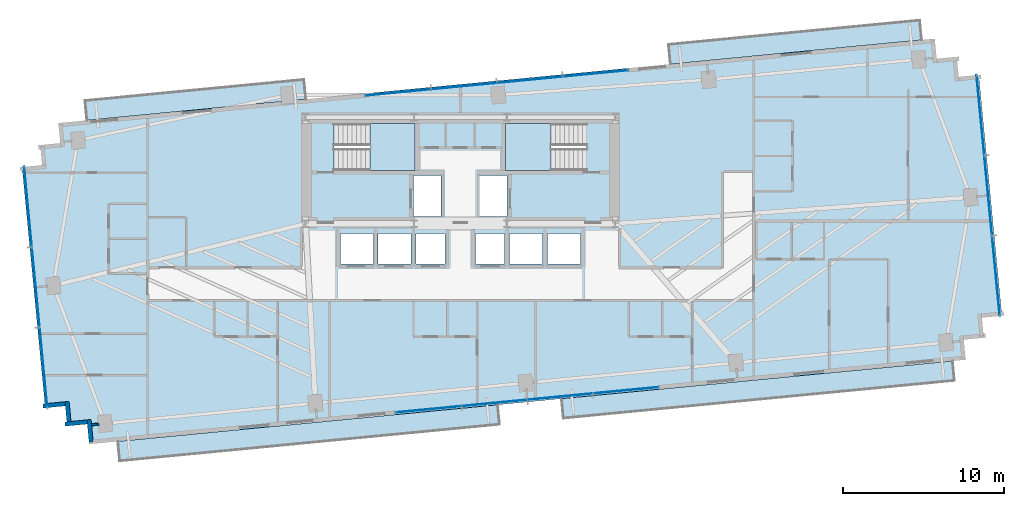
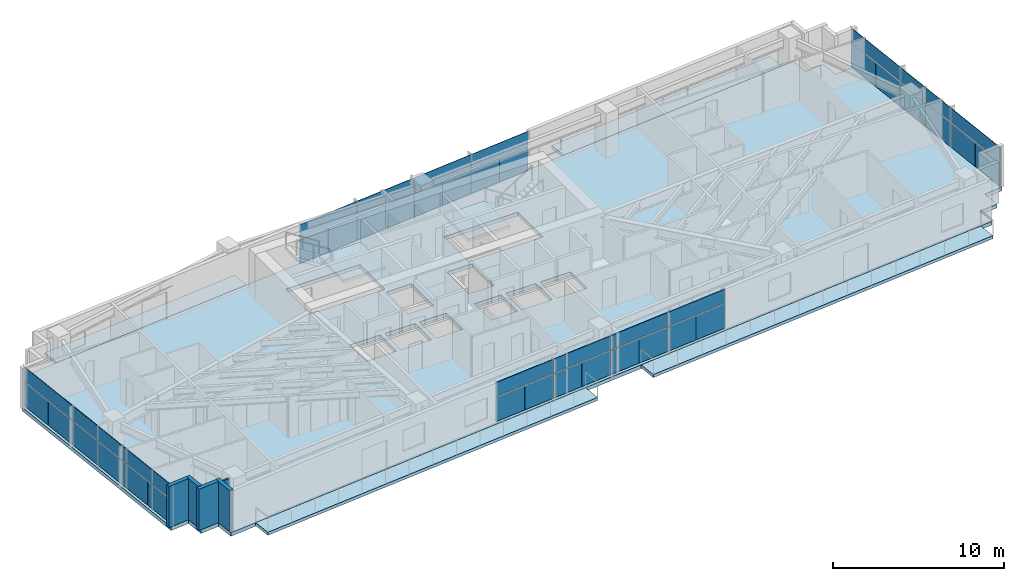
# One storey, part 20 of 27: 42 plates, 7 slabs, 5 walls, 6 elements without a shape of their own.
"""IFC4 building model written with IfcOpenShell, lengths in metres."""

import ifcopenshell
import ifcopenshell.guid

model = None  # the IFC model being written
_history = None  # IfcOwnerHistory: only IFC2X3 demands one
_inside = {}  # id of a spatial element -> (the spatial element, [elements in it])
_under = {}  # id of a project, library or spatial element -> (it, [spatial elements below it])
_declared = {}  # id of a project -> (the project, [libraries it declares])
_typed = {}  # id of a type object -> (the type object, [elements of that type])
_made_of = {}  # id of a material, layer set ... -> (it, [elements and type objects made of it])


def new_model(schema):
    """Start an empty IFC model of exactly this schema.

    Asked for "IFC4X3", IfcOpenShell would pick the latest addendum, in which some entities
    have other attributes; the version numbers below select the first issue.
    IFC2X3 requires an IfcOwnerHistory on every rooted entity: one is made here for all.
    """
    global model, _history
    if schema == "IFC4X3":
        model = ifcopenshell.file(schema_version=(4, 3, 0, 0))
    else:
        model = ifcopenshell.file(schema=schema)
    _inside.clear()
    _under.clear()
    _declared.clear()
    _typed.clear()
    _made_of.clear()
    _history = None
    if model.schema == "IFC2X3":
        org = make("IfcOrganization", Name="unknown")
        user = make(
            "IfcPersonAndOrganization",
            ThePerson=make("IfcPerson", FamilyName="unknown"),
            TheOrganization=org,
        )
        app = make(
            "IfcApplication",
            ApplicationDeveloper=org,
            Version="unknown",
            ApplicationFullName="unknown",
            ApplicationIdentifier="unknown",
        )
        _history = make(
            "IfcOwnerHistory",
            OwningUser=user,
            OwningApplication=app,
            ChangeAction="ADDED",
            CreationDate=0,
        )
    return model


def make(cls, **values):
    """One entity of the class cls with the attributes given. An attribute that is None is left unset."""
    return model.create_entity(
        cls, **{name: value for name, value in values.items() if value is not None}
    )


def rooted(cls, **values):
    """An entity with a GlobalId (a new one), such as an element, a storey or a relation."""
    return make(cls, GlobalId=ifcopenshell.guid.new(), OwnerHistory=_history, **values)


def si_unit(unit_type, name, prefix=None):
    """IfcSIUnit, for example si_unit("LENGTHUNIT", "METRE", prefix="MILLI")."""
    return make("IfcSIUnit", UnitType=unit_type, Prefix=prefix, Name=name)


def assignment(units):
    """IfcUnitAssignment: the units of a project."""
    return None if units is None else make("IfcUnitAssignment", Units=units)


def point(xyz):
    """IfcCartesianPoint."""
    return None if xyz is None else make("IfcCartesianPoint", Coordinates=xyz)


def direction(xyz):
    """IfcDirection."""
    return None if xyz is None else make("IfcDirection", DirectionRatios=xyz)


def frame(location, z_axis=None, x_axis=None):
    """IfcAxis2Placement3D, a coordinate frame: its origin and axes. An axis left out is left unset."""
    return make(
        "IfcAxis2Placement3D",
        Location=point(location),
        Axis=direction(z_axis),
        RefDirection=direction(x_axis),
    )


def frame_2d(location, x_axis=None):
    """IfcAxis2Placement2D, a coordinate frame in the plane: its origin and x axis."""
    return make(
        "IfcAxis2Placement2D", Location=point(location), RefDirection=direction(x_axis)
    )


def origin():
    """The frame at (0, 0, 0) with its axes left unset."""
    return frame((0.0, 0.0, 0.0))


def origin_2d():
    """The frame at (0, 0) in the plane with its x axis left unset."""
    return frame_2d((0.0, 0.0))


def place(relative_to, where):
    """IfcLocalPlacement: puts the frame where relative to a parent placement (None: the world)."""
    return make(
        "IfcLocalPlacement", PlacementRelTo=relative_to, RelativePlacement=where
    )


def context(
    kind, dimensions, precision=None, world=None, true_north=None, identifier=None
):
    """IfcGeometricRepresentationContext, for example the 3D "Model" context."""
    return make(
        "IfcGeometricRepresentationContext",
        ContextIdentifier=identifier,
        ContextType=kind,
        CoordinateSpaceDimension=dimensions,
        Precision=precision,
        WorldCoordinateSystem=world,
        TrueNorth=true_north,
    )


def subcontext(parent, identifier, kind, view, scale=None):
    """IfcGeometricRepresentationSubContext, for example "Body" below "Model"."""
    return make(
        "IfcGeometricRepresentationSubContext",
        ContextIdentifier=identifier,
        ContextType=kind,
        ParentContext=parent,
        TargetScale=scale,
        TargetView=view,
    )


def project(units=None, contexts=None):
    """IfcProject with its units and contexts."""
    return rooted(
        "IfcProject",
        Name="project",
        RepresentationContexts=contexts,
        UnitsInContext=assignment(units),
    )


def spatial(cls, under=None, at=None, **own):
    """A site, building, storey or space (cls), placed at a placement, below another one or the project."""
    s = rooted(cls, ObjectPlacement=at, **own)
    if under is not None:
        _under.setdefault(under.id(), (under, []))[1].append(s)
    return s


def polyline(points):
    """IfcPolyline through the points."""
    return make("IfcPolyline", Points=[point(p) for p in points])


def profile(cls, at=None, kind="AREA", **sizes):
    """A parametric profile (cls). Its sizes go by their IFC names, for example OverallWidth=200.0."""
    return make(cls, ProfileType=kind, Position=at, **sizes)


def rectangle(**sizes):
    """IfcRectangleProfileDef."""
    return profile("IfcRectangleProfileDef", **sizes)


def outline(outer, holes=None, kind="AREA"):
    """IfcArbitraryClosedProfileDef: a profile drawn as a closed curve; with holes, ...WithVoids."""
    if holes is None:
        return make("IfcArbitraryClosedProfileDef", ProfileType=kind, OuterCurve=outer)
    return make(
        "IfcArbitraryProfileDefWithVoids",
        ProfileType=kind,
        OuterCurve=outer,
        InnerCurves=holes,
    )


def extrude(swept, where, along, depth):
    """IfcExtrudedAreaSolid: the profile swept, set in the frame where, extruded along a direction by depth."""
    return make(
        "IfcExtrudedAreaSolid",
        SweptArea=swept,
        Position=where,
        ExtrudedDirection=direction(along),
        Depth=depth,
    )


def shape(context_of_items, identifier, shape_type, items):
    """IfcShapeRepresentation: the items that make up one representation, for example the "Body"."""
    return make(
        "IfcShapeRepresentation",
        ContextOfItems=context_of_items,
        RepresentationIdentifier=identifier,
        RepresentationType=shape_type,
        Items=items,
    )


def source(mapping_origin, context_of_items, identifier, shape_type, items):
    """IfcRepresentationMap: a shape defined once, which mapped items show again and again."""
    return make(
        "IfcRepresentationMap",
        MappingOrigin=mapping_origin,
        MappedRepresentation=shape(context_of_items, identifier, shape_type, items),
    )


def transform(
    local_origin,
    x_axis=None,
    y_axis=None,
    z_axis=None,
    scale=None,
    scale2=None,
    scale3=None,
    uniform=True,
):
    """IfcCartesianTransformationOperator3D, or its non-uniform kind. x_axis, y_axis, z_axis: its Axis1, 2, 3."""
    if uniform:
        return make(
            "IfcCartesianTransformationOperator3D",
            Axis1=direction(x_axis),
            Axis2=direction(y_axis),
            LocalOrigin=point(local_origin),
            Scale=scale,
            Axis3=direction(z_axis),
        )
    return make(
        "IfcCartesianTransformationOperator3DnonUniform",
        Axis1=direction(x_axis),
        Axis2=direction(y_axis),
        LocalOrigin=point(local_origin),
        Scale=scale,
        Axis3=direction(z_axis),
        Scale2=scale2,
        Scale3=scale3,
    )


def mapped(mapping_source, mapping_target):
    """IfcMappedItem: shows the shape of a source again, moved by a transform."""
    return make(
        "IfcMappedItem", MappingSource=mapping_source, MappingTarget=mapping_target
    )


def material(Name=None, Category=None):
    """IfcMaterial."""
    return make("IfcMaterial", Name=Name, Category=Category)


def layer(
    of_material, thickness, ventilated=None, Name=None, Category=None, Priority=None
):
    """IfcMaterialLayer: one layer of a wall or slab, of a material (None: an air gap)."""
    return make(
        "IfcMaterialLayer",
        Material=of_material,
        LayerThickness=thickness,
        IsVentilated=ventilated,
        Name=Name,
        Category=Category,
        Priority=Priority,
    )


def layer_set(layers, Name=None):
    """IfcMaterialLayerSet."""
    return make("IfcMaterialLayerSet", MaterialLayers=layers, LayerSetName=Name)


def made_of(thing, what):
    """Note that an element or type object is made of a material, layer set ...; save() writes the relation."""
    if what is not None:
        _made_of.setdefault(what.id(), (what, []))[1].append(thing)
    return thing


def type_object(cls, material=None, **own):
    """A type object (cls), such as IfcWallType, which elements share."""
    return made_of(rooted(cls, **own), material)


def type_shapes(of_type, sources):
    """Give a type object the sources (RepresentationMaps) that its elements show as mapped items."""
    of_type.RepresentationMaps = sources


def element(
    cls,
    number,
    at=None,
    inside=None,
    cuts=None,
    type_object=None,
    material=None,
    context=None,
    identifier="Body",
    shape_type=None,
    held_by="IfcProductDefinitionShape",
    body=None,
    shapes=None,
    **own,
):
    """One element of the class cls, such as IfcWall. Its Tag is "e" and its number.

    at: its placement. inside: the storey or other place that contains it. cuts: it is an
    opening in that element (IfcRelVoidsElement). A single representation is given by context,
    identifier, shape_type and body (its items); several are given by shapes. held_by: the class
    of the entity that holds the representations. save() writes the other relations.
    """
    e = rooted(cls, Tag="e%d" % number, ObjectPlacement=at, **own)
    if body is not None:
        shapes = [shape(context, identifier, shape_type, body)]
    if shapes is not None:
        e.Representation = make(held_by, Representations=shapes)
    if inside is not None:
        _inside.setdefault(inside.id(), (inside, []))[1].append(e)
    if cuts is not None:
        rooted(
            "IfcRelVoidsElement", RelatingBuildingElement=cuts, RelatedOpeningElement=e
        )
    if type_object is not None:
        _typed.setdefault(type_object.id(), (type_object, []))[1].append(e)
    return made_of(e, material)


def aggregate(whole, parts):
    """IfcRelAggregates: a whole, such as a stair, and the parts it consists of."""
    return rooted("IfcRelAggregates", RelatingObject=whole, RelatedObjects=parts)


def save(model, path):
    """Write the relations noted so far, then the file.

    IfcRelAggregates (storeys below a building ...), IfcRelContainedInSpatialStructure (elements
    in a storey), IfcRelDefinesByType, IfcRelAssociatesMaterial and IfcRelDeclares: one each for
    every whole, place, type object, material and project.
    """
    for whole, parts in _under.values():
        aggregate(whole, parts)
    for where, things in _inside.values():
        rooted(
            "IfcRelContainedInSpatialStructure",
            RelatedElements=things,
            RelatingStructure=where,
        )
    for kind, things in _typed.values():
        rooted("IfcRelDefinesByType", RelatedObjects=things, RelatingType=kind)
    for what, things in _made_of.values():
        rooted("IfcRelAssociatesMaterial", RelatedObjects=things, RelatingMaterial=what)
    for by, libraries in _declared.values():
        rooted("IfcRelDeclares", RelatingContext=by, RelatedDefinitions=libraries)
    model.write(path)


model = new_model("IFC4")

# Units and contexts
model_context = context("Model", 3, precision=1e-05, world=origin(), true_north=direction((0.0, 1.0)))
body_context = subcontext(model_context, "Body", "Model", "MODEL_VIEW")
ifc_project = project(units=[si_unit("LENGTHUNIT", "METRE"), si_unit("AREAUNIT", "SQUARE_METRE"), si_unit("VOLUMEUNIT", "CUBIC_METRE"), si_unit("PLANEANGLEUNIT", "RADIAN"), si_unit("MASSUNIT", "GRAM", prefix="KILO")], contexts=[model_context])

# Site, building, storey
site_placement = place(None, origin())
site = spatial("IfcSite", under=ifc_project, at=site_placement, CompositionType="ELEMENT")
building_placement = place(site_placement, origin())
building = spatial("IfcBuilding", under=site, at=building_placement, Name="Astriad Promenade Condominiums", CompositionType="ELEMENT")
storey_placement = place(building_placement, frame((0.0, 0.0, 97.0)))
storey = spatial("IfcBuildingStorey", under=building, at=storey_placement, Name="L27", CompositionType="ELEMENT", Elevation=97.0)

# Slab
ifc_material_1 = material(Name="Concrete C50/60", Category="concrete")
ifc_layer_1 = layer(ifc_material_1, 0.260009765625)
ifc_layer_set_1 = layer_set([ifc_layer_1], Name="Concrete C50/60")
slab_type_1 = type_object("IfcSlabType", Name="CONCRETE TOWER FLOOR SLAB 260", PredefinedType="FLOOR", material=ifc_layer_set_1)
slab_1_placement = place(storey_placement, frame((0.0, 0.0, -0.260009765625)))
element("IfcSlab", 1, at=slab_1_placement, inside=storey, type_object=slab_type_1, Name="Structural Floor Slab (L27)", PredefinedType="FLOOR", context=body_context, shape_type="SweptSolid", body=[
    extrude(outline(polyline([(12.984130859375, 3.7294921875), (67.332763671875, 8.962646484375), (67.212890625, 10.206787109375), (68.457275390625, 10.32666015625), (68.33740234375, 11.57080078125), (69.58154296875, 11.690673828125), (68.14404296875, 26.62158203125), (66.899658203125, 26.501953125), (66.77978515625, 27.74609375), (65.53564453125, 27.626220703125), (65.416015625, 28.87060546875), (11.067138671875, 23.637451171875), (11.18701171875, 22.39306640625), (9.94287109375, 22.273193359375), (10.0625, 21.029052734375), (8.818359375, 20.9091796875), (10.256103515625, 5.978271484375), (11.500244140625, 6.09814453125), (11.6201171875, 4.85400390625), (12.8642578125, 4.9736328125), (12.984130859375, 3.7294921875)]), holes=[polyline([(28.175048828125, 20.699951171875), (33.175048828125, 20.699951171875), (33.175048828125, 23.60009765625), (28.175048828125, 23.60009765625), (28.175048828125, 20.699951171875)]), polyline([(38.824951171875, 20.699951171875), (43.824951171875, 20.699951171875), (43.824951171875, 23.60009765625), (38.824951171875, 23.60009765625), (38.824951171875, 20.699951171875)]), polyline([(33.10009765625, 17.85009765625), (34.800048828125, 17.85009765625), (34.800048828125, 20.39990234375), (33.10009765625, 20.39990234375), (33.10009765625, 17.85009765625)]), polyline([(37.199951171875, 17.85009765625), (38.89990234375, 17.85009765625), (38.89990234375, 20.39990234375), (37.199951171875, 20.39990234375), (37.199951171875, 17.85009765625)]), polyline([(28.550048828125, 14.89990234375), (30.60009765625, 14.89990234375), (30.60009765625, 16.800048828125), (28.550048828125, 16.800048828125), (28.550048828125, 14.89990234375)]), polyline([(30.89990234375, 14.89990234375), (32.949951171875, 14.89990234375), (32.949951171875, 16.800048828125), (30.89990234375, 16.800048828125), (30.89990234375, 14.89990234375)]), polyline([(33.25, 14.89990234375), (35.050048828125, 14.89990234375), (35.050048828125, 16.800048828125), (33.25, 16.800048828125), (33.25, 14.89990234375)]), polyline([(36.949951171875, 14.89990234375), (38.75, 14.89990234375), (38.75, 16.800048828125), (36.949951171875, 16.800048828125), (36.949951171875, 14.89990234375)]), polyline([(39.050048828125, 14.89990234375), (41.10009765625, 14.89990234375), (41.10009765625, 16.800048828125), (39.050048828125, 16.800048828125), (39.050048828125, 14.89990234375)]), polyline([(41.39990234375, 14.89990234375), (43.449951171875, 14.89990234375), (43.449951171875, 16.800048828125), (41.39990234375, 16.800048828125), (41.39990234375, 14.89990234375)])]), origin(), (0.0, 0.0, 1.0), 0.260009765625),
])

# Stair, slab
stair_type = type_object("IfcStairType", Name="STR-CORE-1350", PredefinedType="HALF_TURN_STAIR", material=ifc_material_1)
stair_1_placement = place(storey_placement, origin())
stair_1 = element("IfcStair", 2, at=stair_1_placement, inside=storey, type_object=stair_type, Name="L27 Enclosed Core Exit Stair ST-1", PredefinedType="HALF_TURN_STAIR")
ifc_layer_2 = layer(ifc_material_1, 0.219970703125)
ifc_layer_set_2 = layer_set([ifc_layer_2], Name="Concrete C50/60")
slab_type_2 = type_object("IfcSlabType", Name="SLB-LANDING-220", PredefinedType="LANDING", material=ifc_layer_set_2)
slab_2_placement = place(storey_placement, frame((0.0, 0.0, 1.39990234375)))
slab_2 = element("IfcSlab", 3, at=slab_2_placement, type_object=slab_type_2, Name="ST-1 landing 1", PredefinedType="LANDING", context=body_context, shape_type="SweptSolid", body=[
    extrude(outline(polyline([(30.389892578125, 20.699951171875), (33.199951171875, 20.699951171875), (33.199951171875, 23.60009765625), (30.389892578125, 23.60009765625), (30.389892578125, 20.699951171875)])), origin(), (0.0, 0.0, 1.0), 0.2001953125),
])
aggregate(stair_1, [slab_2])

stair_2_placement = place(storey_placement, origin())
stair_2 = element("IfcStair", 4, at=stair_2_placement, inside=storey, type_object=stair_type, Name="L27 Enclosed Core Exit Stair ST-2", PredefinedType="HALF_TURN_STAIR")
slab_3_placement = place(storey_placement, frame((0.0, 0.0, 1.39990234375)))
slab_3 = element("IfcSlab", 5, at=slab_3_placement, type_object=slab_type_2, Name="ST-2 landing 1", PredefinedType="LANDING", context=body_context, shape_type="SweptSolid", body=[
    extrude(outline(polyline([(41.610107421875, 23.60009765625), (38.800048828125, 23.60009765625), (38.800048828125, 20.699951171875), (41.610107421875, 20.699951171875), (41.610107421875, 23.60009765625)])), origin(), (0.0, 0.0, 1.0), 0.2001953125),
])
aggregate(stair_2, [slab_3])

# Slabs
ifc_material_2 = material(Name="Precast concrete C50/60", Category="concrete")
ifc_layer_3 = layer(ifc_material_2, 0.219970703125)
ifc_layer_set_3 = layer_set([ifc_layer_3], Name="Precast concrete C50/60")
slab_type_3 = type_object("IfcSlabType", Name="WHITE PRECAST CONCRETE WAVE BALCONY SLAB 220", PredefinedType="FLOOR", material=ifc_layer_set_3)
slab_4_placement = place(storey_placement, frame((0.0, 0.0, -0.219970703125)))
element("IfcSlab", 6, at=slab_4_placement, inside=storey, type_object=slab_type_3, Name="White Precast Wave Balcony Slab BAL-L27-SW", PredefinedType="FLOOR", context=body_context, shape_type="SweptSolid", body=[
    extrude(outline(polyline([(38.427978515625, 4.953857421875), (14.87890625, 2.686279296875), (14.76220703125, 3.898681640625), (38.311279296875, 6.166015625), (38.427978515625, 4.953857421875)])), origin(), (0.0, 0.0, 1.0), 0.219970703125),
])
slab_5_placement = place(storey_placement, frame((0.0, 0.0, -0.219970703125)))
element("IfcSlab", 7, at=slab_5_placement, inside=storey, type_object=slab_type_3, Name="White Precast Wave Balcony Slab BAL-L27-SE", PredefinedType="FLOOR", context=body_context, shape_type="SweptSolid", body=[
    extrude(outline(polyline([(66.637451171875, 7.669921875), (42.3935546875, 5.335693359375), (42.27685546875, 6.548095703125), (66.520751953125, 8.88232421875), (66.637451171875, 7.669921875)])), origin(), (0.0, 0.0, 1.0), 0.219970703125),
])
slab_6_placement = place(storey_placement, frame((0.0, 0.0, -0.219970703125)))
element("IfcSlab", 8, at=slab_6_placement, inside=storey, type_object=slab_type_3, Name="White Precast Wave Balcony Slab BAL-L27-NW", PredefinedType="FLOOR", context=body_context, shape_type="SweptSolid", body=[
    extrude(outline(polyline([(12.72802734375, 25.02294921875), (26.29931640625, 26.32958984375), (26.416015625, 25.1171875), (12.8447265625, 23.810546875), (12.72802734375, 25.02294921875)])), origin(), (0.0, 0.0, 1.0), 0.219970703125),
])
slab_7_placement = place(storey_placement, frame((0.0, 0.0, -0.219970703125)))
element("IfcSlab", 9, at=slab_7_placement, inside=storey, type_object=slab_type_3, Name="White Precast Wave Balcony Slab BAL-L27-NE", PredefinedType="FLOOR", context=body_context, shape_type="SweptSolid", body=[
    extrude(outline(polyline([(48.914794921875, 28.50732421875), (64.48681640625, 30.006591796875), (64.603515625, 28.79443359375), (49.031494140625, 27.294921875), (48.914794921875, 28.50732421875)])), origin(), (0.0, 0.0, 1.0), 0.219970703125),
])

# Curtain wall, plates
ifc_material_3 = material(Name="Anodised aluminium Black Dark Glass Unitised", Category="aluminium")
curtain_wall_type = type_object("IfcCurtainWallType", Name="CW-B2-DARK", PredefinedType="USERDEFINED", material=ifc_material_3)
curtain_wall_1_placement = place(storey_placement, origin())
curtain_wall_1 = element("IfcCurtainWall", 10, at=curtain_wall_1_placement, inside=storey, type_object=curtain_wall_type, Name="CW-L27-W", ObjectType="UNITISED_CURTAIN_WALL", PredefinedType="USERDEFINED")
ifc_material_4 = material(Name="Dark Tinted Low-E Laminated Glass", Category="glass")
ifc_layer_4 = layer(ifc_material_4, 0.035888671875)
ifc_layer_set_4 = layer_set([ifc_layer_4], Name="Dark Tinted Low-E Laminated Glass")
plate_type = type_object("IfcPlateType", Name="PNL-DARK-GLASS-36", PredefinedType="CURTAIN_PANEL", material=ifc_layer_set_4)
shared_shape_1 = source(origin(), body_context, "Body", "SweptSolid", [
    extrude(rectangle(XDim=2.488037109375, YDim=0.035888671875, at=origin_2d()), origin(), (0.0, 0.0, 1.0), 1.702880859375),
])
plate_1_placement = place(storey_placement, frame((10.265625, 7.235107421875, 0.080078125), z_axis=(0.0, 0.0, 1.0), x_axis=(-0.09584575252, 0.995396198367, 0.0)))
plate_1 = element("IfcPlate", 11, at=plate_1_placement, type_object=plate_type, Name="CW-L27-W-PNL-00-VL", PredefinedType="CURTAIN_PANEL", context=body_context, shape_type="MappedRepresentation", body=[
    mapped(shared_shape_1, transform((0.0, 0.0, 0.0), scale=1.0)),
])
plate_2_placement = place(storey_placement, frame((10.02587890625, 9.723388671875, 0.080078125), z_axis=(0.0, 0.0, 1.0), x_axis=(-0.09584575252, 0.995396198367, 0.0)))
plate_2 = element("IfcPlate", 12, at=plate_2_placement, type_object=plate_type, Name="CW-L27-W-PNL-00-VR", PredefinedType="CURTAIN_PANEL", context=body_context, shape_type="MappedRepresentation", body=[
    mapped(shared_shape_1, transform((0.0, 0.0, 0.0), scale=1.0)),
])
plate_3_placement = place(storey_placement, frame((9.786376953125, 12.212158203125, 0.080078125), z_axis=(0.0, 0.0, 1.0), x_axis=(-0.09584575252, 0.995396198367, 0.0)))
plate_3 = element("IfcPlate", 13, at=plate_3_placement, type_object=plate_type, Name="CW-L27-W-PNL-01-VL", PredefinedType="CURTAIN_PANEL", context=body_context, shape_type="MappedRepresentation", body=[
    mapped(shared_shape_1, transform((0.0, 0.0, 0.0), scale=1.0)),
])
plate_4_placement = place(storey_placement, frame((9.546875, 14.700439453125, 0.080078125), z_axis=(0.0, 0.0, 1.0), x_axis=(-0.09584575252, 0.995396198367, 0.0)))
plate_4 = element("IfcPlate", 14, at=plate_4_placement, type_object=plate_type, Name="CW-L27-W-PNL-01-VR", PredefinedType="CURTAIN_PANEL", context=body_context, shape_type="MappedRepresentation", body=[
    mapped(shared_shape_1, transform((0.0, 0.0, 0.0), scale=1.0)),
])
plate_5_placement = place(storey_placement, frame((9.30712890625, 17.189208984375, 0.080078125), z_axis=(0.0, 0.0, 1.0), x_axis=(-0.09584575252, 0.995396198367, 0.0)))
plate_5 = element("IfcPlate", 15, at=plate_5_placement, type_object=plate_type, Name="CW-L27-W-PNL-02-VL", PredefinedType="CURTAIN_PANEL", context=body_context, shape_type="MappedRepresentation", body=[
    mapped(shared_shape_1, transform((0.0, 0.0, 0.0), scale=1.0)),
])
plate_6_placement = place(storey_placement, frame((9.067626953125, 19.677490234375, 0.080078125), z_axis=(0.0, 0.0, 1.0), x_axis=(-0.09584575252, 0.995396198367, 0.0)))
plate_6 = element("IfcPlate", 16, at=plate_6_placement, type_object=plate_type, Name="CW-L27-W-PNL-02-VR", PredefinedType="CURTAIN_PANEL", context=body_context, shape_type="MappedRepresentation", body=[
    mapped(shared_shape_1, transform((0.0, 0.0, 0.0), scale=1.0)),
])

curtain_wall_2_placement = place(storey_placement, origin())
curtain_wall_2 = element("IfcCurtainWall", 17, at=curtain_wall_2_placement, inside=storey, type_object=curtain_wall_type, Name="CW-L27-E", ObjectType="UNITISED_CURTAIN_WALL", PredefinedType="USERDEFINED")
plate_7_placement = place(storey_placement, frame((68.134521484375, 25.364990234375, 0.080078125), z_axis=(0.0, 0.0, 1.0), x_axis=(0.09584575252, -0.995396198367, 0.0)))
plate_7 = element("IfcPlate", 18, at=plate_7_placement, type_object=plate_type, Name="CW-L27-E-PNL-00-VL", PredefinedType="CURTAIN_PANEL", context=body_context, shape_type="MappedRepresentation", body=[
    mapped(shared_shape_1, transform((0.0, 0.0, 0.0), scale=1.0)),
])
plate_8_placement = place(storey_placement, frame((68.3740234375, 22.87646484375, 0.080078125), z_axis=(0.0, 0.0, 1.0), x_axis=(0.09584575252, -0.995396198367, 0.0)))
plate_8 = element("IfcPlate", 19, at=plate_8_placement, type_object=plate_type, Name="CW-L27-E-PNL-00-VR", PredefinedType="CURTAIN_PANEL", context=body_context, shape_type="MappedRepresentation", body=[
    mapped(shared_shape_1, transform((0.0, 0.0, 0.0), scale=1.0)),
])
plate_9_placement = place(storey_placement, frame((68.613525390625, 20.387939453125, 0.080078125), z_axis=(0.0, 0.0, 1.0), x_axis=(0.09584575252, -0.995396198367, 0.0)))
plate_9 = element("IfcPlate", 20, at=plate_9_placement, type_object=plate_type, Name="CW-L27-E-PNL-01-VL", PredefinedType="CURTAIN_PANEL", context=body_context, shape_type="MappedRepresentation", body=[
    mapped(shared_shape_1, transform((0.0, 0.0, 0.0), scale=1.0)),
])
plate_10_placement = place(storey_placement, frame((68.853271484375, 17.8994140625, 0.080078125), z_axis=(0.0, 0.0, 1.0), x_axis=(0.09584575252, -0.995396198367, 0.0)))
plate_10 = element("IfcPlate", 21, at=plate_10_placement, type_object=plate_type, Name="CW-L27-E-PNL-01-VR", PredefinedType="CURTAIN_PANEL", context=body_context, shape_type="MappedRepresentation", body=[
    mapped(shared_shape_1, transform((0.0, 0.0, 0.0), scale=1.0)),
])
plate_11_placement = place(storey_placement, frame((69.0927734375, 15.410888671875, 0.080078125), z_axis=(0.0, 0.0, 1.0), x_axis=(0.09584575252, -0.995396198367, 0.0)))
plate_11 = element("IfcPlate", 22, at=plate_11_placement, type_object=plate_type, Name="CW-L27-E-PNL-02-VL", PredefinedType="CURTAIN_PANEL", context=body_context, shape_type="MappedRepresentation", body=[
    mapped(shared_shape_1, transform((0.0, 0.0, 0.0), scale=1.0)),
])
plate_12_placement = place(storey_placement, frame((69.33251953125, 12.922607421875, 0.080078125), z_axis=(0.0, 0.0, 1.0), x_axis=(0.09584575252, -0.995396198367, 0.0)))
plate_12 = element("IfcPlate", 23, at=plate_12_placement, type_object=plate_type, Name="CW-L27-E-PNL-02-VR", PredefinedType="CURTAIN_PANEL", context=body_context, shape_type="MappedRepresentation", body=[
    mapped(shared_shape_1, transform((0.0, 0.0, 0.0), scale=1.0)),
])

# Plate
shared_shape_2 = source(origin(), body_context, "Body", "SweptSolid", [
    extrude(rectangle(XDim=4.988037109375, YDim=0.035888671875, at=origin_2d()), origin(), (0.0, 0.0, 1.0), 0.997314453125),
])
plate_13_placement = place(storey_placement, frame((10.145751953125, 8.479248046875, 1.86279296875), z_axis=(0.0, 0.0, 1.0), x_axis=(-0.09584575252, 0.995396198367, 0.0)))
plate_13 = element("IfcPlate", 24, at=plate_13_placement, type_object=plate_type, Name="CW-L27-W-PNL-00-S", PredefinedType="CURTAIN_PANEL", context=body_context, shape_type="MappedRepresentation", body=[
    mapped(shared_shape_2, transform((0.0, 0.0, 0.0), scale=1.0)),
])

plate_14_placement = place(storey_placement, frame((9.66650390625, 13.456298828125, 1.86279296875), z_axis=(0.0, 0.0, 1.0), x_axis=(-0.09584575252, 0.995396198367, 0.0)))
plate_14 = element("IfcPlate", 25, at=plate_14_placement, type_object=plate_type, Name="CW-L27-W-PNL-01-S", PredefinedType="CURTAIN_PANEL", context=body_context, shape_type="MappedRepresentation", body=[
    mapped(shared_shape_2, transform((0.0, 0.0, 0.0), scale=1.0)),
])

plate_15_placement = place(storey_placement, frame((9.1875, 18.433349609375, 1.86279296875), z_axis=(0.0, 0.0, 1.0), x_axis=(-0.09584575252, 0.995396198367, 0.0)))
plate_15 = element("IfcPlate", 26, at=plate_15_placement, type_object=plate_type, Name="CW-L27-W-PNL-02-S", PredefinedType="CURTAIN_PANEL", context=body_context, shape_type="MappedRepresentation", body=[
    mapped(shared_shape_2, transform((0.0, 0.0, 0.0), scale=1.0)),
])

aggregate(curtain_wall_1, [plate_1, plate_2, plate_13, plate_3, plate_4, plate_14, plate_5, plate_6, plate_15])

plate_16_placement = place(storey_placement, frame((68.254150390625, 24.12060546875, 1.86279296875), z_axis=(0.0, 0.0, 1.0), x_axis=(0.09584575252, -0.995396198367, 0.0)))
plate_16 = element("IfcPlate", 27, at=plate_16_placement, type_object=plate_type, Name="CW-L27-E-PNL-00-S", PredefinedType="CURTAIN_PANEL", context=body_context, shape_type="MappedRepresentation", body=[
    mapped(shared_shape_2, transform((0.0, 0.0, 0.0), scale=1.0)),
])

plate_17_placement = place(storey_placement, frame((68.7333984375, 19.143798828125, 1.86279296875), z_axis=(0.0, 0.0, 1.0), x_axis=(0.09584575252, -0.995396198367, 0.0)))
plate_17 = element("IfcPlate", 28, at=plate_17_placement, type_object=plate_type, Name="CW-L27-E-PNL-01-S", PredefinedType="CURTAIN_PANEL", context=body_context, shape_type="MappedRepresentation", body=[
    mapped(shared_shape_2, transform((0.0, 0.0, 0.0), scale=1.0)),
])

plate_18_placement = place(storey_placement, frame((69.212646484375, 14.166748046875, 1.86279296875), z_axis=(0.0, 0.0, 1.0), x_axis=(0.09584575252, -0.995396198367, 0.0)))
plate_18 = element("IfcPlate", 29, at=plate_18_placement, type_object=plate_type, Name="CW-L27-E-PNL-02-S", PredefinedType="CURTAIN_PANEL", context=body_context, shape_type="MappedRepresentation", body=[
    mapped(shared_shape_2, transform((0.0, 0.0, 0.0), scale=1.0)),
])

aggregate(curtain_wall_2, [plate_7, plate_8, plate_16, plate_9, plate_10, plate_17, plate_11, plate_12, plate_18])

# Curtain wall, plates
curtain_wall_3_placement = place(storey_placement, origin())
curtain_wall_3 = element("IfcCurtainWall", 30, at=curtain_wall_3_placement, inside=storey, type_object=curtain_wall_type, Name="CW-L27-N", ObjectType="UNITISED_CURTAIN_WALL", PredefinedType="USERDEFINED")
shared_shape_3 = source(origin(), body_context, "Body", "SweptSolid", [
    extrude(rectangle(XDim=2.035400390625, YDim=0.035888671875, at=origin_2d()), origin(), (0.0, 0.0, 1.0), 1.702880859375),
])
plate_19_placement = place(storey_placement, frame((31.12060546875, 25.437744140625, 0.080078125), z_axis=(0.0, 0.0, 1.0), x_axis=(0.995396198367, 0.09584575252, 0.0)))
plate_19 = element("IfcPlate", 31, at=plate_19_placement, type_object=plate_type, Name="CW-L27-N-PNL-00-VL", PredefinedType="CURTAIN_PANEL", context=body_context, shape_type="MappedRepresentation", body=[
    mapped(shared_shape_3, transform((0.0, 0.0, 0.0), scale=1.0)),
])
plate_20_placement = place(storey_placement, frame((33.15869140625, 25.634033203125, 0.080078125), z_axis=(0.0, 0.0, 1.0), x_axis=(0.995396198367, 0.09584575252, 0.0)))
plate_20 = element("IfcPlate", 32, at=plate_20_placement, type_object=plate_type, Name="CW-L27-N-PNL-00-VR", PredefinedType="CURTAIN_PANEL", context=body_context, shape_type="MappedRepresentation", body=[
    mapped(shared_shape_3, transform((0.0, 0.0, 0.0), scale=1.0)),
])
plate_21_placement = place(storey_placement, frame((35.19677734375, 25.830078125, 0.080078125), z_axis=(0.0, 0.0, 1.0), x_axis=(0.995396198367, 0.09584575252, 0.0)))
plate_21 = element("IfcPlate", 33, at=plate_21_placement, type_object=plate_type, Name="CW-L27-N-PNL-01-VL", PredefinedType="CURTAIN_PANEL", context=body_context, shape_type="MappedRepresentation", body=[
    mapped(shared_shape_3, transform((0.0, 0.0, 0.0), scale=1.0)),
])
plate_22_placement = place(storey_placement, frame((37.23486328125, 26.026611328125, 0.080078125), z_axis=(0.0, 0.0, 1.0), x_axis=(0.995396198367, 0.09584575252, 0.0)))
plate_22 = element("IfcPlate", 34, at=plate_22_placement, type_object=plate_type, Name="CW-L27-N-PNL-01-VR", PredefinedType="CURTAIN_PANEL", context=body_context, shape_type="MappedRepresentation", body=[
    mapped(shared_shape_3, transform((0.0, 0.0, 0.0), scale=1.0)),
])
plate_23_placement = place(storey_placement, frame((39.27294921875, 26.22265625, 0.080078125), z_axis=(0.0, 0.0, 1.0), x_axis=(0.995396198367, 0.09584575252, 0.0)))
plate_23 = element("IfcPlate", 35, at=plate_23_placement, type_object=plate_type, Name="CW-L27-N-PNL-02-VL", PredefinedType="CURTAIN_PANEL", context=body_context, shape_type="MappedRepresentation", body=[
    mapped(shared_shape_3, transform((0.0, 0.0, 0.0), scale=1.0)),
])
plate_24_placement = place(storey_placement, frame((41.31103515625, 26.4189453125, 0.080078125), z_axis=(0.0, 0.0, 1.0), x_axis=(0.995396198367, 0.09584575252, 0.0)))
plate_24 = element("IfcPlate", 36, at=plate_24_placement, type_object=plate_type, Name="CW-L27-N-PNL-02-VR", PredefinedType="CURTAIN_PANEL", context=body_context, shape_type="MappedRepresentation", body=[
    mapped(shared_shape_3, transform((0.0, 0.0, 0.0), scale=1.0)),
])
plate_25_placement = place(storey_placement, frame((43.34912109375, 26.615234375, 0.080078125), z_axis=(0.0, 0.0, 1.0), x_axis=(0.995396198367, 0.09584575252, 0.0)))
plate_25 = element("IfcPlate", 37, at=plate_25_placement, type_object=plate_type, Name="CW-L27-N-PNL-03-VL", PredefinedType="CURTAIN_PANEL", context=body_context, shape_type="MappedRepresentation", body=[
    mapped(shared_shape_3, transform((0.0, 0.0, 0.0), scale=1.0)),
])
plate_26_placement = place(storey_placement, frame((45.38720703125, 26.8115234375, 0.080078125), z_axis=(0.0, 0.0, 1.0), x_axis=(0.995396198367, 0.09584575252, 0.0)))
plate_26 = element("IfcPlate", 38, at=plate_26_placement, type_object=plate_type, Name="CW-L27-N-PNL-03-VR", PredefinedType="CURTAIN_PANEL", context=body_context, shape_type="MappedRepresentation", body=[
    mapped(shared_shape_3, transform((0.0, 0.0, 0.0), scale=1.0)),
])

curtain_wall_4_placement = place(storey_placement, origin())
curtain_wall_4 = element("IfcCurtainWall", 39, at=curtain_wall_4_placement, inside=storey, type_object=curtain_wall_type, Name="CW-L27-S", ObjectType="UNITISED_CURTAIN_WALL", PredefinedType="USERDEFINED")
plate_27_placement = place(storey_placement, frame((47.279296875, 7.162353515625, 0.080078125), z_axis=(0.0, 0.0, 1.0), x_axis=(-0.995396198367, -0.09584575252, 0.0)))
plate_27 = element("IfcPlate", 40, at=plate_27_placement, type_object=plate_type, Name="CW-L27-S-PNL-00-VL", PredefinedType="CURTAIN_PANEL", context=body_context, shape_type="MappedRepresentation", body=[
    mapped(shared_shape_3, transform((0.0, 0.0, 0.0), scale=1.0)),
])
plate_28_placement = place(storey_placement, frame((45.2412109375, 6.966064453125, 0.080078125), z_axis=(0.0, 0.0, 1.0), x_axis=(-0.995396198367, -0.09584575252, 0.0)))
plate_28 = element("IfcPlate", 41, at=plate_28_placement, type_object=plate_type, Name="CW-L27-S-PNL-00-VR", PredefinedType="CURTAIN_PANEL", context=body_context, shape_type="MappedRepresentation", body=[
    mapped(shared_shape_3, transform((0.0, 0.0, 0.0), scale=1.0)),
])
plate_29_placement = place(storey_placement, frame((43.203125, 6.769775390625, 0.080078125), z_axis=(0.0, 0.0, 1.0), x_axis=(-0.995396198367, -0.09584575252, 0.0)))
plate_29 = element("IfcPlate", 42, at=plate_29_placement, type_object=plate_type, Name="CW-L27-S-PNL-01-VL", PredefinedType="CURTAIN_PANEL", context=body_context, shape_type="MappedRepresentation", body=[
    mapped(shared_shape_3, transform((0.0, 0.0, 0.0), scale=1.0)),
])
plate_30_placement = place(storey_placement, frame((41.1650390625, 6.573486328125, 0.080078125), z_axis=(0.0, 0.0, 1.0), x_axis=(-0.995396198367, -0.09584575252, 0.0)))
plate_30 = element("IfcPlate", 43, at=plate_30_placement, type_object=plate_type, Name="CW-L27-S-PNL-01-VR", PredefinedType="CURTAIN_PANEL", context=body_context, shape_type="MappedRepresentation", body=[
    mapped(shared_shape_3, transform((0.0, 0.0, 0.0), scale=1.0)),
])
plate_31_placement = place(storey_placement, frame((39.126953125, 6.377197265625, 0.080078125), z_axis=(0.0, 0.0, 1.0), x_axis=(-0.995396198367, -0.09584575252, 0.0)))
plate_31 = element("IfcPlate", 44, at=plate_31_placement, type_object=plate_type, Name="CW-L27-S-PNL-02-VL", PredefinedType="CURTAIN_PANEL", context=body_context, shape_type="MappedRepresentation", body=[
    mapped(shared_shape_3, transform((0.0, 0.0, 0.0), scale=1.0)),
])
plate_32_placement = place(storey_placement, frame((37.0888671875, 6.180908203125, 0.080078125), z_axis=(0.0, 0.0, 1.0), x_axis=(-0.995396198367, -0.09584575252, 0.0)))
plate_32 = element("IfcPlate", 45, at=plate_32_placement, type_object=plate_type, Name="CW-L27-S-PNL-02-VR", PredefinedType="CURTAIN_PANEL", context=body_context, shape_type="MappedRepresentation", body=[
    mapped(shared_shape_3, transform((0.0, 0.0, 0.0), scale=1.0)),
])
plate_33_placement = place(storey_placement, frame((35.05078125, 5.98486328125, 0.080078125), z_axis=(0.0, 0.0, 1.0), x_axis=(-0.995396198367, -0.09584575252, 0.0)))
plate_33 = element("IfcPlate", 46, at=plate_33_placement, type_object=plate_type, Name="CW-L27-S-PNL-03-VL", PredefinedType="CURTAIN_PANEL", context=body_context, shape_type="MappedRepresentation", body=[
    mapped(shared_shape_3, transform((0.0, 0.0, 0.0), scale=1.0)),
])
plate_34_placement = place(storey_placement, frame((33.0126953125, 5.78857421875, 0.080078125), z_axis=(0.0, 0.0, 1.0), x_axis=(-0.995396198367, -0.09584575252, 0.0)))
plate_34 = element("IfcPlate", 47, at=plate_34_placement, type_object=plate_type, Name="CW-L27-S-PNL-03-VR", PredefinedType="CURTAIN_PANEL", context=body_context, shape_type="MappedRepresentation", body=[
    mapped(shared_shape_3, transform((0.0, 0.0, 0.0), scale=1.0)),
])

# Plate
shared_shape_4 = source(origin(), body_context, "Body", "SweptSolid", [
    extrude(rectangle(XDim=4.0830078125, YDim=0.035888671875, at=origin_2d()), origin(), (0.0, 0.0, 1.0), 0.997314453125),
])
type_shapes(plate_type, [shared_shape_1, shared_shape_2, shared_shape_3, shared_shape_4])
plate_35_placement = place(storey_placement, frame((32.1396484375, 25.535888671875, 1.86279296875), z_axis=(0.0, 0.0, 1.0), x_axis=(0.995396198367, 0.09584575252, 0.0)))
plate_35 = element("IfcPlate", 48, at=plate_35_placement, type_object=plate_type, Name="CW-L27-N-PNL-00-S", PredefinedType="CURTAIN_PANEL", context=body_context, shape_type="MappedRepresentation", body=[
    mapped(shared_shape_4, transform((0.0, 0.0, 0.0), scale=1.0)),
])

plate_36_placement = place(storey_placement, frame((36.2158203125, 25.928466796875, 1.86279296875), z_axis=(0.0, 0.0, 1.0), x_axis=(0.995396198367, 0.09584575252, 0.0)))
plate_36 = element("IfcPlate", 49, at=plate_36_placement, type_object=plate_type, Name="CW-L27-N-PNL-01-S", PredefinedType="CURTAIN_PANEL", context=body_context, shape_type="MappedRepresentation", body=[
    mapped(shared_shape_4, transform((0.0, 0.0, 0.0), scale=1.0)),
])

plate_37_placement = place(storey_placement, frame((40.2919921875, 26.32080078125, 1.86279296875), z_axis=(0.0, 0.0, 1.0), x_axis=(0.995396198367, 0.09584575252, 0.0)))
plate_37 = element("IfcPlate", 50, at=plate_37_placement, type_object=plate_type, Name="CW-L27-N-PNL-02-S", PredefinedType="CURTAIN_PANEL", context=body_context, shape_type="MappedRepresentation", body=[
    mapped(shared_shape_4, transform((0.0, 0.0, 0.0), scale=1.0)),
])

plate_38_placement = place(storey_placement, frame((44.368408203125, 26.71337890625, 1.86279296875), z_axis=(0.0, 0.0, 1.0), x_axis=(0.995396198367, 0.09584575252, 0.0)))
plate_38 = element("IfcPlate", 51, at=plate_38_placement, type_object=plate_type, Name="CW-L27-N-PNL-03-S", PredefinedType="CURTAIN_PANEL", context=body_context, shape_type="MappedRepresentation", body=[
    mapped(shared_shape_4, transform((0.0, 0.0, 0.0), scale=1.0)),
])

aggregate(curtain_wall_3, [plate_19, plate_20, plate_35, plate_21, plate_22, plate_36, plate_23, plate_24, plate_37, plate_25, plate_26, plate_38])

plate_39_placement = place(storey_placement, frame((46.26025390625, 7.064208984375, 1.86279296875), z_axis=(0.0, 0.0, 1.0), x_axis=(-0.995396198367, -0.09584575252, 0.0)))
plate_39 = element("IfcPlate", 52, at=plate_39_placement, type_object=plate_type, Name="CW-L27-S-PNL-00-S", PredefinedType="CURTAIN_PANEL", context=body_context, shape_type="MappedRepresentation", body=[
    mapped(shared_shape_4, transform((0.0, 0.0, 0.0), scale=1.0)),
])

plate_40_placement = place(storey_placement, frame((42.18408203125, 6.671630859375, 1.86279296875), z_axis=(0.0, 0.0, 1.0), x_axis=(-0.995396198367, -0.09584575252, 0.0)))
plate_40 = element("IfcPlate", 53, at=plate_40_placement, type_object=plate_type, Name="CW-L27-S-PNL-01-S", PredefinedType="CURTAIN_PANEL", context=body_context, shape_type="MappedRepresentation", body=[
    mapped(shared_shape_4, transform((0.0, 0.0, 0.0), scale=1.0)),
])

plate_41_placement = place(storey_placement, frame((38.10791015625, 6.279052734375, 1.86279296875), z_axis=(0.0, 0.0, 1.0), x_axis=(-0.995396198367, -0.09584575252, 0.0)))
plate_41 = element("IfcPlate", 54, at=plate_41_placement, type_object=plate_type, Name="CW-L27-S-PNL-02-S", PredefinedType="CURTAIN_PANEL", context=body_context, shape_type="MappedRepresentation", body=[
    mapped(shared_shape_4, transform((0.0, 0.0, 0.0), scale=1.0)),
])

plate_42_placement = place(storey_placement, frame((34.03173828125, 5.88671875, 1.86279296875), z_axis=(0.0, 0.0, 1.0), x_axis=(-0.995396198367, -0.09584575252, 0.0)))
plate_42 = element("IfcPlate", 55, at=plate_42_placement, type_object=plate_type, Name="CW-L27-S-PNL-03-S", PredefinedType="CURTAIN_PANEL", context=body_context, shape_type="MappedRepresentation", body=[
    mapped(shared_shape_4, transform((0.0, 0.0, 0.0), scale=1.0)),
])

aggregate(curtain_wall_4, [plate_27, plate_28, plate_39, plate_29, plate_30, plate_40, plate_31, plate_32, plate_41, plate_33, plate_34, plate_42])

# Walls
ifc_layer_5 = layer(ifc_material_2, 0.260009765625)
ifc_layer_set_5 = layer_set([ifc_layer_5], Name="Precast concrete C50/60")
wall_type_1 = type_object("IfcWallType", Name="WALL-EXT-TWR-260", PredefinedType="STANDARD", material=ifc_layer_set_5)
for number, where, z_axis, x_axis, name in (
    (56, (12.86669921875, 5.1044921875, 0.0), (0.0, 0.0, 1.0), (-0.995389446633, -0.095915846097, 0.0), "W-SER-L27-00"),
    (57, (11.738525390625, 4.98095703125, 0.0), (0.0, 0.0, 1.0), (-0.095915846097, 0.995389446633, 0.0), "W-SER-L27-01"),
):
    element("IfcWall", number, at=place(storey_placement, frame(where, z_axis=z_axis, x_axis=x_axis)), inside=storey, type_object=wall_type_1, Name=name, PredefinedType="STANDARD", context=body_context, shape_type="SweptSolid", body=[
        extrude(rectangle(XDim=1.394775390625, YDim=0.260009765625, at=frame_2d((0.697265625, 0.0))), origin(), (0.0, 0.0, 1.0), 2.93994140625),
    ])
for number, where, z_axis, x_axis, name in (
    (58, (11.502685546875, 6.22900390625, 0.0), (0.0, 0.0, 1.0), (-0.995391056452, -0.09589913835, 0.0), "W-SER-L27-02"),
    (59, (13.1025390625, 3.8564453125, 0.0), (0.0, 0.0, 1.0), (-0.09589913835, 0.995391056452, 0.0), "W-SER-L27-19"),
):
    element("IfcWall", number, at=place(storey_placement, frame(where, z_axis=z_axis, x_axis=x_axis)), inside=storey, type_object=wall_type_1, Name=name, PredefinedType="STANDARD", context=body_context, shape_type="SweptSolid", body=[
        extrude(rectangle(XDim=1.39501953125, YDim=0.260009765625, at=frame_2d((0.697509765625, 0.0))), origin(), (0.0, 0.0, 1.0), 2.93994140625),
    ])
ifc_material_5 = material(Name="Acoustic Metal-Stud Gypsum Partition")
ifc_layer_6 = layer(ifc_material_5, 0.1201171875)
ifc_layer_set_6 = layer_set([ifc_layer_6], Name="Acoustic Metal-Stud Gypsum Partition")
wall_type_2 = type_object("IfcWallType", Name="WALL-PART-120", PredefinedType="PARTITIONING", material=ifc_layer_set_6)
wall_placement = place(storey_placement, frame((13.587646484375, 4.972900390625, 0.0), z_axis=(0.0, 0.0, 1.0), x_axis=(-0.995435366701, -0.095438098896, 0.0)))
element("IfcWall", 60, at=wall_placement, inside=storey, type_object=wall_type_2, Name="PT-PIL-L27-PC01-8", PredefinedType="PARTITIONING", context=body_context, shape_type="SweptSolid", body=[
    extrude(rectangle(XDim=0.4580078125, YDim=0.1201171875, at=frame_2d((0.22900390625, 0.0))), origin(), (0.0, 0.0, 1.0), 2.93994140625),
])

save(model, "model.ifc")
